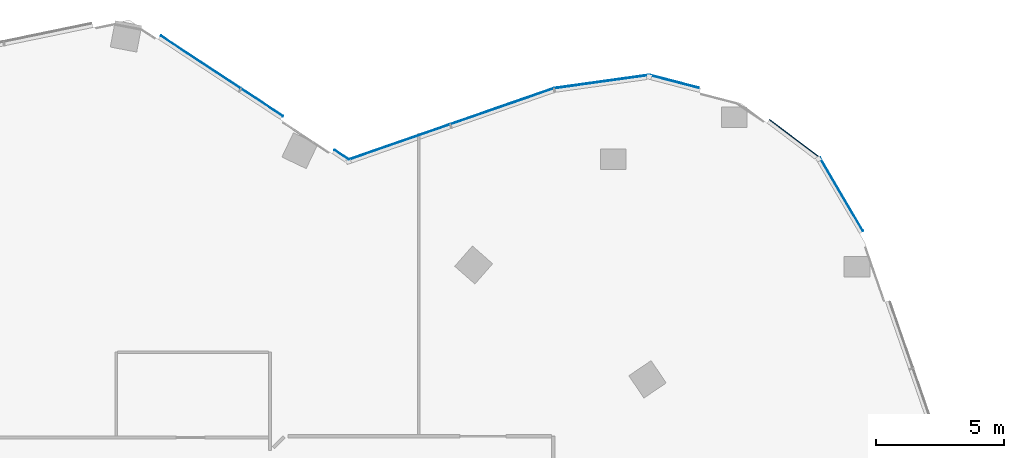
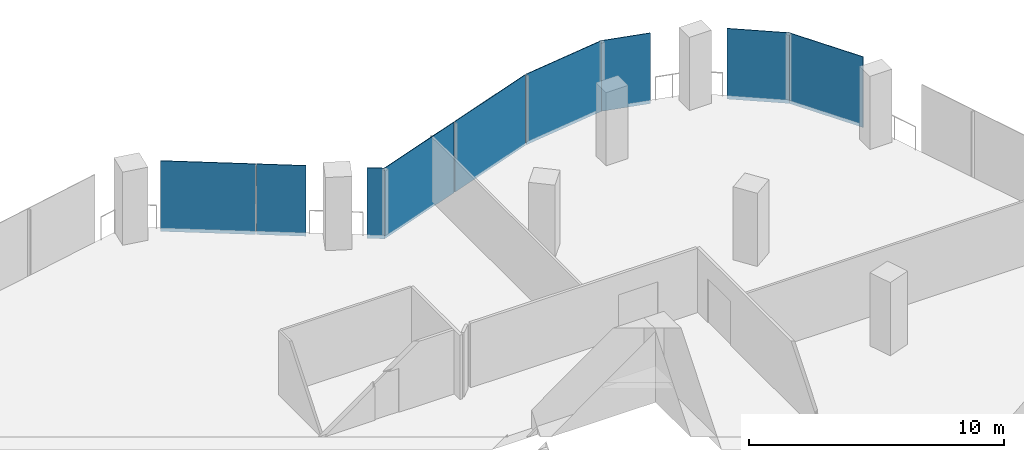
# One storey, part 16 of 26: 9 plates, 6 elements without a shape of their own.
"""IFC4 building model written with IfcOpenShell, lengths in metres."""

from ifc_helpers import new_model, si_unit, direction, frame, origin, origin_2d, place, context, subcontext, project, spatial, rectangle, extrude, material, layer, layer_set, type_object, element, aggregate, save


model = new_model("IFC4")

# Units and contexts
model_context = context("Model", 3, precision=1e-05, world=origin(), true_north=direction((0.0, 1.0)))
body_context = subcontext(model_context, "Body", "Model", "MODEL_VIEW")
ifc_project = project(units=[si_unit("LENGTHUNIT", "METRE"), si_unit("AREAUNIT", "SQUARE_METRE"), si_unit("VOLUMEUNIT", "CUBIC_METRE"), si_unit("PLANEANGLEUNIT", "RADIAN"), si_unit("MASSUNIT", "GRAM", prefix="KILO")], contexts=[model_context])

# Site, building, storey
site_placement = place(None, origin())
site = spatial("IfcSite", under=ifc_project, at=site_placement, CompositionType="ELEMENT")
building_placement = place(site_placement, origin())
building = spatial("IfcBuilding", under=site, at=building_placement, Name="Orlundy Tower", CompositionType="ELEMENT")
storey_placement = place(building_placement, frame((0.0, 0.0, 232.0)))
storey = spatial("IfcBuildingStorey", under=building, at=storey_placement, Name="L61", CompositionType="ELEMENT", Elevation=232.0)

# Curtain wall, plates
ifc_material_1 = material(Name="Aluminium bronze anodised", Category="aluminium")
curtain_wall_type = type_object("IfcCurtainWallType", Name="CW1 wall", PredefinedType="NOTDEFINED", material=ifc_material_1)
curtain_wall_1_placement = place(storey_placement, origin())
curtain_wall_1 = element("IfcCurtainWall", 1, at=curtain_wall_1_placement, inside=storey, type_object=curtain_wall_type, Name="CW1 run 017", PredefinedType="NOTDEFINED")
ifc_material_2 = material(Name="Tinted glass", Category="glass")
ifc_layer = layer(ifc_material_2, 0.031982421875)
ifc_layer_set = layer_set([ifc_layer], Name="CW1 glass panel 32")
plate_type = type_object("IfcPlateType", Name="CW1 glass panel 32", PredefinedType="CURTAIN_PANEL", material=ifc_layer_set)
plate_1_placement = place(storey_placement, frame((8.8935546875, 30.25390625, -0.280029296875), z_axis=(0.0, 0.0, 1.0), x_axis=(0.835505597573, -0.549481934574, 0.0)))
plate_1 = element("IfcPlate", 2, at=plate_1_placement, type_object=plate_type, Name="CW1 panel", PredefinedType="CURTAIN_PANEL", context=body_context, shape_type="SweptSolid", body=[
    extrude(rectangle(XDim=3.72265625, YDim=0.031982421875, at=origin_2d()), origin(), (0.0, 0.0, 1.0), 3.3798828125),
])
plate_2_placement = place(storey_placement, frame((11.29931640625, 28.671875, -0.280029296875), z_axis=(0.0, 0.0, 1.0), x_axis=(0.835505597573, -0.549481934574, 0.0)))
plate_2 = element("IfcPlate", 3, at=plate_2_placement, type_object=plate_type, Name="CW1 panel", PredefinedType="CURTAIN_PANEL", context=body_context, shape_type="SweptSolid", body=[
    extrude(rectangle(XDim=1.936279296875, YDim=0.031982421875, at=origin_2d()), origin(), (0.0, 0.0, 1.0), 3.3798828125),
])
plate_3_placement = place(storey_placement, frame((14.394287109375, 26.636474609375, -0.280029296875), z_axis=(0.0, 0.0, 1.0), x_axis=(0.835505597573, -0.549481934574, 0.0)))
plate_3 = element("IfcPlate", 4, at=plate_3_placement, type_object=plate_type, Name="CW1 panel", PredefinedType="CURTAIN_PANEL", context=body_context, shape_type="SweptSolid", body=[
    extrude(rectangle(XDim=0.6806640625, YDim=0.031982421875, at=origin_2d()), origin(), (0.0, 0.0, 1.0), 3.3798828125),
])
aggregate(curtain_wall_1, [plate_1, plate_2, plate_3])

curtain_wall_2_placement = place(storey_placement, origin())
curtain_wall_2 = element("IfcCurtainWall", 5, at=curtain_wall_2_placement, inside=storey, type_object=curtain_wall_type, Name="CW1 run 018", PredefinedType="NOTDEFINED")
plate_4_placement = place(storey_placement, frame((16.643310546875, 27.13232421875, -0.280029296875), z_axis=(0.0, 0.0, 1.0), x_axis=(0.94457424985, 0.328297862498, 0.0)))
plate_4 = element("IfcPlate", 6, at=plate_4_placement, type_object=plate_type, Name="CW1 panel", PredefinedType="CURTAIN_PANEL", context=body_context, shape_type="SweptSolid", body=[
    extrude(rectangle(XDim=4.16015625, YDim=0.031982421875, at=origin_2d()), origin(), (0.0, 0.0, 1.0), 3.3798828125),
])
plate_5_placement = place(storey_placement, frame((20.654052734375, 28.5263671875, -0.280029296875), z_axis=(0.0, 0.0, 1.0), x_axis=(0.94457424985, 0.328297862498, 0.0)))
plate_5 = element("IfcPlate", 7, at=plate_5_placement, type_object=plate_type, Name="CW1 panel", PredefinedType="CURTAIN_PANEL", context=body_context, shape_type="SweptSolid", body=[
    extrude(rectangle(XDim=4.23193359375, YDim=0.031982421875, at=origin_2d()), origin(), (0.0, 0.0, 1.0), 3.3798828125),
])
aggregate(curtain_wall_2, [plate_4, plate_5])

# Curtain wall, plate
curtain_wall_3_placement = place(storey_placement, origin())
curtain_wall_3 = element("IfcCurtainWall", 8, at=curtain_wall_3_placement, inside=storey, type_object=curtain_wall_type, Name="CW1 run 019", PredefinedType="NOTDEFINED")
plate_6_placement = place(storey_placement, frame((24.549072265625, 29.48974609375, -0.280029296875), z_axis=(0.0, 0.0, 1.0), x_axis=(0.99045548405, 0.137832993566, 0.0)))
plate_6 = element("IfcPlate", 9, at=plate_6_placement, type_object=plate_type, Name="CW1 panel", PredefinedType="CURTAIN_PANEL", context=body_context, shape_type="SweptSolid", body=[
    extrude(rectangle(XDim=3.73095703125, YDim=0.031982421875, at=origin_2d()), origin(), (0.0, 0.0, 1.0), 3.3798828125),
])
aggregate(curtain_wall_3, [plate_6])

curtain_wall_4_placement = place(storey_placement, origin())
curtain_wall_4 = element("IfcCurtainWall", 10, at=curtain_wall_4_placement, inside=storey, type_object=curtain_wall_type, Name="CW1 run 020", PredefinedType="NOTDEFINED")
plate_7_placement = place(storey_placement, frame((27.363037109375, 29.495361328125, -0.280029296875), z_axis=(0.0, 0.0, 1.0), x_axis=(0.967731773149, -0.251982569313, 0.0)))
plate_7 = element("IfcPlate", 11, at=plate_7_placement, type_object=plate_type, Name="CW1 panel", PredefinedType="CURTAIN_PANEL", context=body_context, shape_type="SweptSolid", body=[
    extrude(rectangle(XDim=1.9970703125, YDim=0.031982421875, at=origin_2d()), origin(), (0.0, 0.0, 1.0), 3.3798828125),
])
aggregate(curtain_wall_4, [plate_7])

curtain_wall_5_placement = place(storey_placement, origin())
curtain_wall_5 = element("IfcCurtainWall", 12, at=curtain_wall_5_placement, inside=storey, type_object=curtain_wall_type, Name="CW1 run 021", PredefinedType="NOTDEFINED")
plate_8_placement = place(storey_placement, frame((32.0751953125, 27.263427734375, -0.280029296875), z_axis=(0.0, 0.0, 1.0), x_axis=(0.797760617853, -0.602974291826, 0.0)))
plate_8 = element("IfcPlate", 13, at=plate_8_placement, type_object=plate_type, Name="CW1 panel", PredefinedType="CURTAIN_PANEL", context=body_context, shape_type="SweptSolid", body=[
    extrude(rectangle(XDim=2.45849609375, YDim=0.031982421875, at=origin_2d()), origin(), (0.0, 0.0, 1.0), 3.3798828125),
])
aggregate(curtain_wall_5, [plate_8])

curtain_wall_6_placement = place(storey_placement, origin())
curtain_wall_6 = element("IfcCurtainWall", 14, at=curtain_wall_6_placement, inside=storey, type_object=curtain_wall_type, Name="CW1 run 022", PredefinedType="NOTDEFINED")
plate_9_placement = place(storey_placement, frame((33.898681640625, 25.087158203125, -0.280029296875), z_axis=(0.0, 0.0, 1.0), x_axis=(0.506418670322, -0.862287730604, 0.0)))
plate_9 = element("IfcPlate", 15, at=plate_9_placement, type_object=plate_type, Name="CW1 panel", PredefinedType="CURTAIN_PANEL", context=body_context, shape_type="SweptSolid", body=[
    extrude(rectangle(XDim=3.32861328125, YDim=0.031982421875, at=origin_2d()), origin(), (0.0, 0.0, 1.0), 3.3798828125),
])
aggregate(curtain_wall_6, [plate_9])

save(model, "model.ifc")
